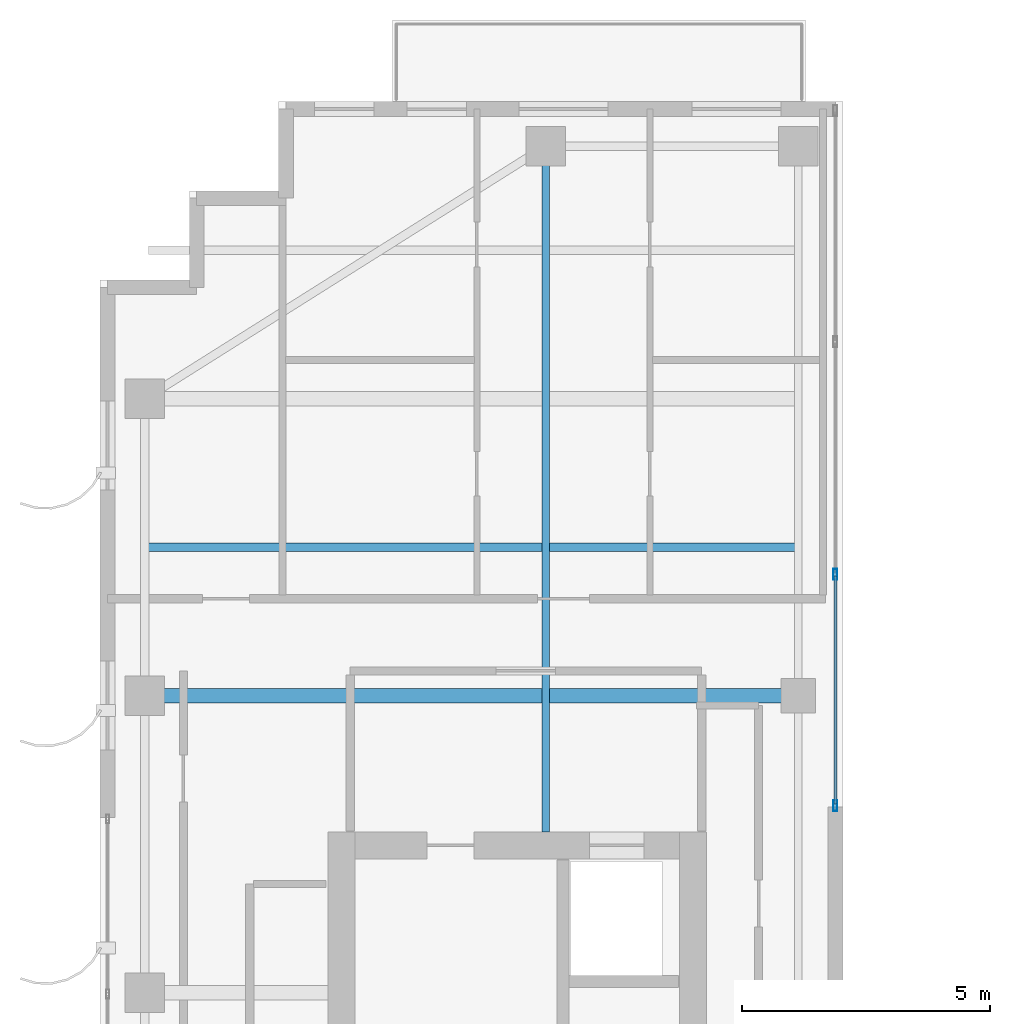
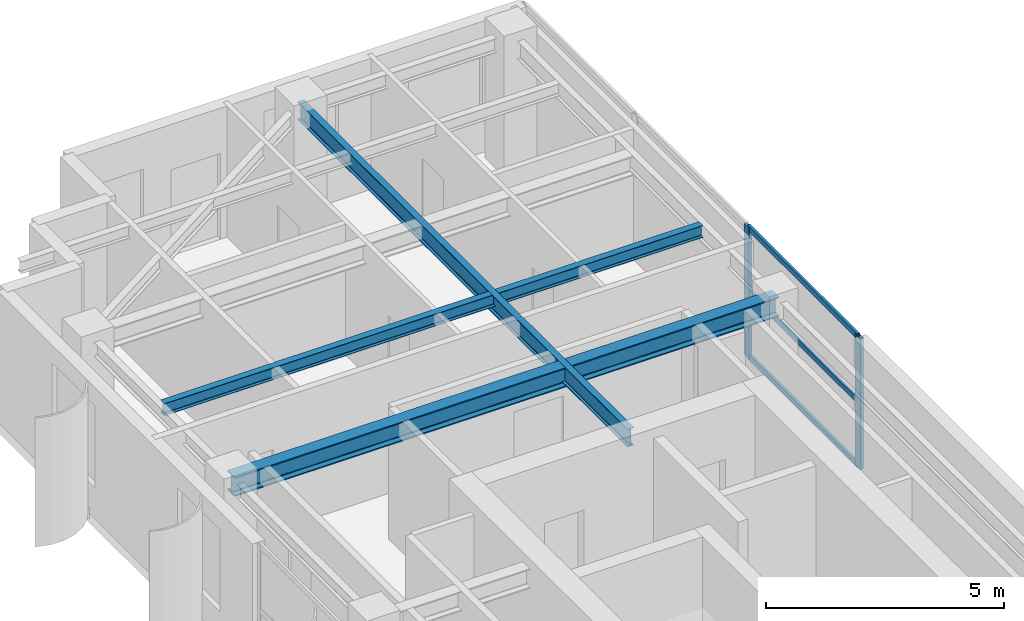
# One storey, part 8 of 23: 5 members, 3 beams, 1 element without a shape of its own.
"""IFC4 building model written with IfcOpenShell, lengths in metres."""

from ifc_helpers import new_model, si_unit, direction, frame, origin, origin_2d, place, context, subcontext, project, spatial, hollow_rectangle, i_section, extrude, source, transform, mapped, material, layer, layer_set, material_profile, profile_set, type_object, element, aggregate, save


model = new_model("IFC4")

# Units and contexts
model_context = context("Model", 3, precision=1e-05, world=origin(), true_north=direction((0.0, 1.0)))
body_context = subcontext(model_context, "Body", "Model", "MODEL_VIEW")
ifc_project = project(units=[si_unit("LENGTHUNIT", "METRE"), si_unit("AREAUNIT", "SQUARE_METRE"), si_unit("VOLUMEUNIT", "CUBIC_METRE"), si_unit("PLANEANGLEUNIT", "RADIAN"), si_unit("MASSUNIT", "GRAM", prefix="KILO")], contexts=[model_context])

# Site, building, storey
site_placement = place(None, origin())
site = spatial("IfcSite", under=ifc_project, at=site_placement, CompositionType="ELEMENT")
building_placement = place(site_placement, origin())
building = spatial("IfcBuilding", under=site, at=building_placement, Name="Khoralis Quay Care Tower", CompositionType="ELEMENT")
storey_placement = place(building_placement, frame((0.0, 0.0, 245.699951171875)))
storey = spatial("IfcBuildingStorey", under=building, at=storey_placement, Name="L64", CompositionType="ELEMENT", Elevation=245.699951171875)

# Beams
ifc_material_1 = material(Name="Steel S355", Category="steel")
ifc_material_profile_1 = material_profile(ifc_material_1, i_section(OverallWidth=0.300048828125, OverallDepth=0.5, WebThickness=0.014404296875, FlangeThickness=0.028076171875, FilletRadius=0.027099609375, at=origin_2d()), Name="Steel S355")
ifc_profile_set_1 = profile_set([ifc_material_profile_1], Name="Steel S355")
beam_type_1 = type_object("IfcBeamType", Name="BM-HEB500", PredefinedType="BEAM", material=ifc_profile_set_1)
shared_shape_1 = source(origin(), body_context, "Body", "SweptSolid", [
    extrude(i_section(OverallWidth=0.300048828125, OverallDepth=0.5, WebThickness=0.014404296875, FlangeThickness=0.028076171875, FilletRadius=0.027099609375, at=origin_2d()), origin(), (0.0, 0.0, 1.0), 13.2001953125),
])
beam_1_placement = place(storey_placement, frame((3.89990234375, 30.0, 3.110107421875), z_axis=(1.0, 0.0, 0.0), x_axis=(0.0, 1.0, 0.0)))
element("IfcBeam", 1, at=beam_1_placement, inside=storey, type_object=beam_type_1, Name="BM-TGXW-L64-300", PredefinedType="BEAM", context=body_context, shape_type="MappedRepresentation", body=[
    mapped(shared_shape_1, transform((0.0, 0.0, 0.0), scale=1.0)),
])
ifc_material_profile_2 = material_profile(ifc_material_1, i_section(OverallWidth=0.1650390625, OverallDepth=0.31005859375, WebThickness=0.005859375, FlangeThickness=0.009765625, FilletRadius=0.011962890625, at=origin_2d()), Name="Steel S355")
ifc_profile_set_2 = profile_set([ifc_material_profile_2], Name="Steel S355")
beam_type_2 = type_object("IfcBeamType", Name="BM-W310X39", PredefinedType="JOIST", material=ifc_profile_set_2)
shared_shape_2 = source(origin(), body_context, "Body", "SweptSolid", [
    extrude(i_section(OverallWidth=0.1650390625, OverallDepth=0.31005859375, WebThickness=0.005859375, FlangeThickness=0.009765625, FilletRadius=0.011962890625, at=origin_2d()), origin(), (0.0, 0.0, 1.0), 13.06396484375),
])
beam_2_placement = place(storey_placement, frame((3.970947265625, 33.0, 3.205078125), z_axis=(1.0, 0.0, 0.0), x_axis=(0.0, 1.0, 0.0)))
element("IfcBeam", 2, at=beam_2_placement, inside=storey, type_object=beam_type_2, Name="BM-TJS-L64-19", PredefinedType="JOIST", context=body_context, shape_type="MappedRepresentation", body=[
    mapped(shared_shape_2, transform((0.0, 0.0, 0.0), scale=1.0)),
])
ifc_material_profile_3 = material_profile(ifc_material_1, i_section(OverallWidth=0.154052734375, OverallDepth=0.458984375, WebThickness=0.009033203125, FlangeThickness=0.015380859375, FilletRadius=0.014892578125, at=origin_2d()), Name="Steel S355")
ifc_profile_set_3 = profile_set([ifc_material_profile_3], Name="Steel S355")
beam_type_3 = type_object("IfcBeamType", Name="BM-W460X68", PredefinedType="BEAM", material=ifc_profile_set_3)
shared_shape_3 = source(origin(), body_context, "Body", "SweptSolid", [
    extrude(i_section(OverallWidth=0.154052734375, OverallDepth=0.458984375, WebThickness=0.009033203125, FlangeThickness=0.015380859375, FilletRadius=0.014892578125, at=origin_2d()), origin(), (0.0, 0.0, 1.0), 13.85205078125),
])
beam_3_placement = place(storey_placement, frame((12.0, 27.248046875, 3.130615234375), z_axis=(0.0, 1.0, 0.0), x_axis=(-1.0, 0.0, 0.0)))
element("IfcBeam", 3, at=beam_3_placement, inside=storey, type_object=beam_type_3, Name="BM-TGYN-L64-120", PredefinedType="BEAM", context=body_context, shape_type="MappedRepresentation", body=[
    mapped(shared_shape_3, transform((0.0, 0.0, 0.0), scale=1.0)),
])

# Curtain wall, members
ifc_material_2 = material(Name="Pale anodised aluminium", Category="aluminium")
ifc_layer = layer(ifc_material_2, 0.18994140625)
ifc_layer_set = layer_set([ifc_layer], Name="Pale anodised aluminium")
curtain_wall_type = type_object("IfcCurtainWallType", Name="CW-SYS-PORTAL", PredefinedType="NOTDEFINED", material=ifc_layer_set)
curtain_wall_placement = place(storey_placement, origin())
curtain_wall = element("IfcCurtainWall", 4, at=curtain_wall_placement, inside=storey, type_object=curtain_wall_type, Name="L64 Unitised Curtain Wall CW-VP-L64-P1-N", PredefinedType="NOTDEFINED")
ifc_material_profile_4 = material_profile(ifc_material_2, hollow_rectangle(XDim=0.06005859375, YDim=0.139892578125, WallThickness=0.00390625, at=origin_2d()), Name="Pale anodised aluminium")
ifc_profile_set_4 = profile_set([ifc_material_profile_4], Name="Pale anodised aluminium")
member_type_1 = type_object("IfcMemberType", Name="CW-TRN-140", PredefinedType="USERDEFINED", material=ifc_profile_set_4)
shared_shape_4 = source(origin(), body_context, "Body", "SweptSolid", [
    extrude(hollow_rectangle(XDim=0.06005859375, YDim=0.139892578125, WallThickness=0.00390625, at=origin_2d()), origin(), (0.0, 0.0, 1.0), 4.60986328125),
])
member_1_placement = place(storey_placement, frame((17.85009765625, 27.81005859375, 0.030029296875), z_axis=(0.0, 1.0, 0.0), x_axis=(-1.0, 0.0, 0.0)))
member_1 = element("IfcMember", 5, at=member_1_placement, type_object=member_type_1, Name="CW4 transom 1.1", ObjectType="TRANSOM", PredefinedType="USERDEFINED", context=body_context, shape_type="MappedRepresentation", body=[
    mapped(shared_shape_4, transform((0.0, 0.0, 0.0), scale=1.0)),
])
member_2_placement = place(storey_placement, frame((17.85009765625, 27.81005859375, 1.679931640625), z_axis=(0.0, 1.0, 0.0), x_axis=(-1.0, 0.0, 0.0)))
member_2 = element("IfcMember", 6, at=member_2_placement, type_object=member_type_1, Name="CW4 transom 1.2", ObjectType="TRANSOM", PredefinedType="USERDEFINED", context=body_context, shape_type="MappedRepresentation", body=[
    mapped(shared_shape_4, transform((0.0, 0.0, 0.0), scale=1.0)),
])
member_3_placement = place(storey_placement, frame((17.85009765625, 27.81005859375, 3.330078125), z_axis=(0.0, 1.0, 0.0), x_axis=(-1.0, 0.0, 0.0)))
member_3 = element("IfcMember", 7, at=member_3_placement, type_object=member_type_1, Name="CW4 transom 1.3", ObjectType="TRANSOM", PredefinedType="USERDEFINED", context=body_context, shape_type="MappedRepresentation", body=[
    mapped(shared_shape_4, transform((0.0, 0.0, 0.0), scale=1.0)),
])
ifc_material_profile_5 = material_profile(ifc_material_2, hollow_rectangle(XDim=0.074951171875, YDim=0.219970703125, WallThickness=0.00390625, at=origin_2d()), Name="Pale anodised aluminium")
ifc_profile_set_5 = profile_set([ifc_material_profile_5], Name="Pale anodised aluminium")
member_type_2 = type_object("IfcMemberType", Name="CW-MUL-220", PredefinedType="MULLION", material=ifc_profile_set_5)
shared_shape_5 = source(origin(), body_context, "Body", "SweptSolid", [
    extrude(hollow_rectangle(XDim=0.074951171875, YDim=0.219970703125, WallThickness=0.00390625, at=origin_2d()), origin(), (0.0, 0.0, 1.0), 3.360107421875),
])
member_4_placement = place(storey_placement, frame((17.85009765625, 27.780029296875, 0.0), z_axis=(0.0, 0.0, 1.0), x_axis=(-1.0, 0.0, 0.0)))
member_4 = element("IfcMember", 8, at=member_4_placement, type_object=member_type_2, Name="CW4 mullion 1", PredefinedType="MULLION", context=body_context, shape_type="MappedRepresentation", body=[
    mapped(shared_shape_5, transform((0.0, 0.0, 0.0), scale=1.0)),
])
member_5_placement = place(storey_placement, frame((17.85009765625, 32.449951171875, 0.0), z_axis=(0.0, 0.0, 1.0), x_axis=(-1.0, 0.0, 0.0)))
member_5 = element("IfcMember", 9, at=member_5_placement, type_object=member_type_2, Name="CW4 mullion 2", PredefinedType="MULLION", context=body_context, shape_type="MappedRepresentation", body=[
    mapped(shared_shape_5, transform((0.0, 0.0, 0.0), scale=1.0)),
])
aggregate(curtain_wall, [member_4, member_5, member_1, member_2, member_3])

save(model, "model.ifc")
